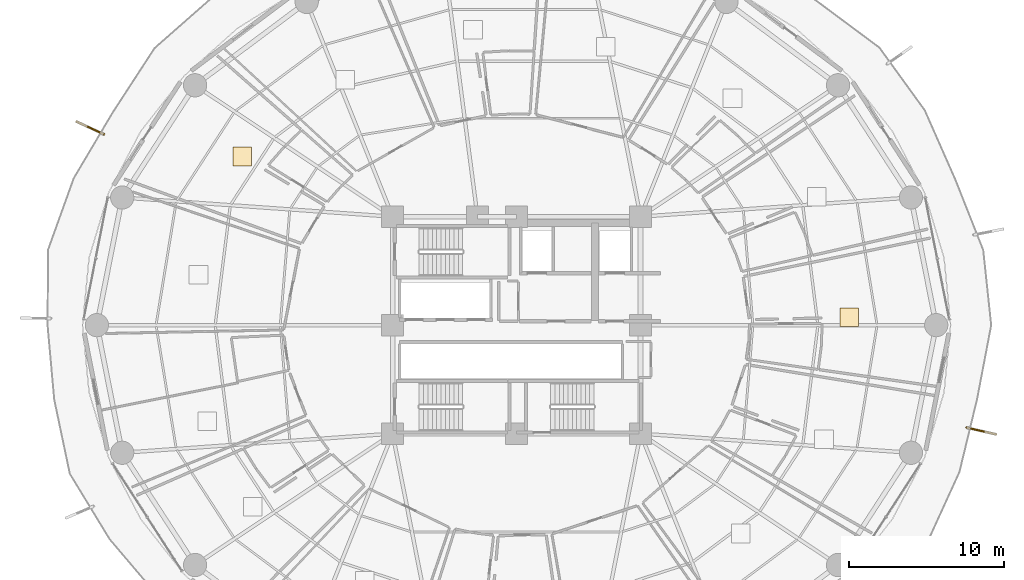
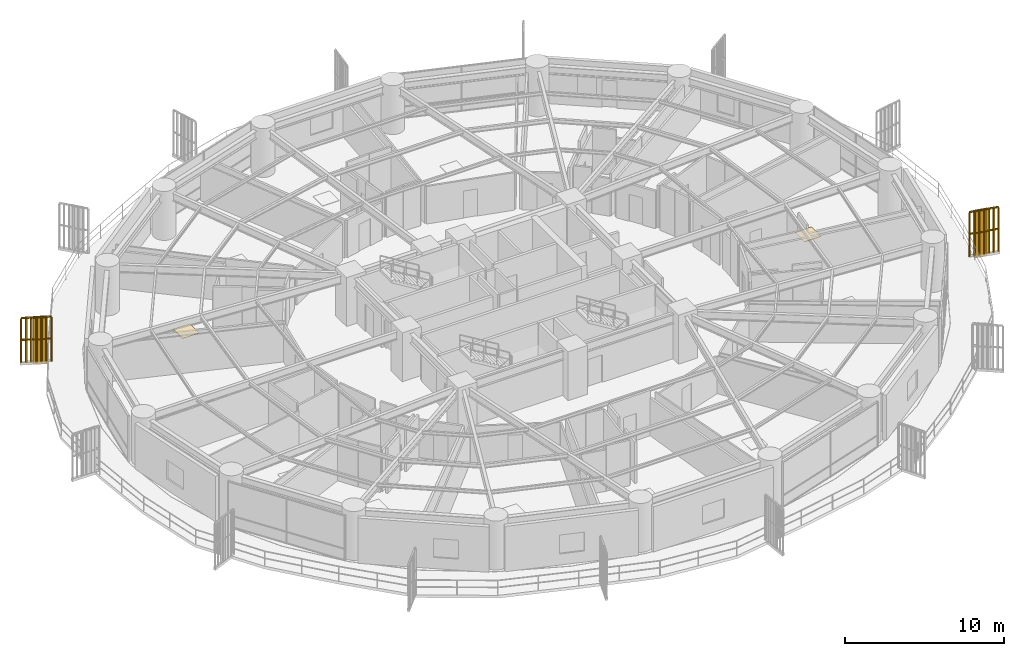
# One storey, part 32 of 34: 2 coverings, 2 railings, 2 shading devices.
"""IFC4 building model written with IfcOpenShell, lengths in metres."""

from ifc_helpers import new_model, si_unit, direction, frame, origin, origin_2d, place, context, subcontext, project, spatial, polyline, rectangle, outline, extrude, source, transform, mapped, material, layer, layer_set, type_object, element, save


model = new_model("IFC4")

# Units and contexts
model_context = context("Model", 3, precision=1e-05, world=origin(), true_north=direction((0.0, 1.0)))
body_context = subcontext(model_context, "Body", "Model", "MODEL_VIEW")
ifc_project = project(units=[si_unit("LENGTHUNIT", "METRE"), si_unit("AREAUNIT", "SQUARE_METRE"), si_unit("VOLUMEUNIT", "CUBIC_METRE"), si_unit("PLANEANGLEUNIT", "RADIAN"), si_unit("MASSUNIT", "GRAM", prefix="KILO")], contexts=[model_context])

# Site, building, storey
site_placement = place(None, origin())
site = spatial("IfcSite", under=ifc_project, at=site_placement, CompositionType="ELEMENT")
building_placement = place(site_placement, origin())
building = spatial("IfcBuilding", under=site, at=building_placement, Name="Kelanora Arch Commons", CompositionType="ELEMENT")
storey_placement = place(building_placement, frame((0.0, 0.0, 33.75)))
storey = spatial("IfcBuildingStorey", under=building, at=storey_placement, Name="L08", CompositionType="ELEMENT", Elevation=33.75)

# Railings
ifc_material_1 = material(Name="Anodised bronze vertical shading fin rib assembly")
railing_type = type_object("IfcRailingType", Name="RAIL-FIN-BRZ", PredefinedType="BALUSTRADE", material=ifc_material_1)
railing_1_placement = place(storey_placement, frame((47.363525390625, 70.322509765625, -0.02001953125)))
element("IfcRailing", 1, at=railing_1_placement, inside=storey, type_object=railing_type, Name="Sweeping Bronze Vertical Fin Blade L08-06", PredefinedType="BALUSTRADE", context=body_context, shape_type="SweptSolid", body=[
    extrude(outline(polyline([(0.06982421875, 0.0), (0.034912109375, 0.060546875), (-0.034912109375, 0.060546875), (-0.06982421875, 0.0), (-0.034912109375, -0.060546875), (0.034912109375, -0.060546875), (0.06982421875, 0.0)])), frame((0.0, 0.0, 3.419921875), z_axis=(-0.90756396683, 0.419913855584, 0.0), x_axis=(-0.419913855584, -0.90756396683, 0.0)), (0.0, 0.0, 1.0), 1.91748046875),
    extrude(outline(polyline([(0.06982421875, 0.0), (0.034912109375, 0.060546875), (-0.034912109375, 0.060546875), (-0.06982421875, 0.0), (-0.034912109375, -0.060546875), (0.034912109375, -0.060546875), (0.06982421875, 0.0)])), frame((0.0, 0.0, 1.7451171875), z_axis=(-0.90756396683, 0.419913855584, 0.0), x_axis=(-0.419913855584, -0.90756396683, 0.0)), (0.0, 0.0, 1.0), 1.91748046875),
    extrude(outline(polyline([(0.080078125, 0.0), (0.0400390625, 0.0693359375), (-0.0400390625, 0.0693359375), (-0.080078125, 0.0), (-0.0400390625, -0.0693359375), (0.0400390625, -0.0693359375), (0.080078125, 0.0)])), origin(), (0.0, 0.0, 1.0), 3.35009765625),
    extrude(outline(polyline([(0.080078125, 0.0), (0.0400390625, 0.0693359375), (-0.0400390625, 0.0693359375), (-0.080078125, 0.0), (-0.0400390625, -0.0693359375), (0.0400390625, -0.0693359375), (0.080078125, 0.0)])), frame((-0.2900390625, 0.13427734375, 0.0)), (0.0, 0.0, 1.0), 3.35009765625),
    extrude(outline(polyline([(0.080078125, 0.0), (0.0400390625, 0.0693359375), (-0.0400390625, 0.0693359375), (-0.080078125, 0.0), (-0.0400390625, -0.0693359375), (0.0400390625, -0.0693359375), (0.080078125, 0.0)])), frame((-0.580078125, 0.268310546875, 0.0)), (0.0, 0.0, 1.0), 3.35009765625),
    extrude(outline(polyline([(0.080078125, 0.0), (0.0400390625, 0.0693359375), (-0.0400390625, 0.0693359375), (-0.080078125, 0.0), (-0.0400390625, -0.0693359375), (0.0400390625, -0.0693359375), (0.080078125, 0.0)])), frame((-0.8701171875, 0.402587890625, 0.0)), (0.0, 0.0, 1.0), 3.35009765625),
    extrude(outline(polyline([(0.080078125, 0.0), (0.0400390625, 0.0693359375), (-0.0400390625, 0.0693359375), (-0.080078125, 0.0), (-0.0400390625, -0.0693359375), (0.0400390625, -0.0693359375), (0.080078125, 0.0)])), frame((-1.16015625, 0.536865234375, 0.0)), (0.0, 0.0, 1.0), 3.35009765625),
    extrude(outline(polyline([(0.080078125, 0.0), (0.0400390625, 0.0693359375), (-0.0400390625, 0.0693359375), (-0.080078125, 0.0), (-0.0400390625, -0.0693359375), (0.0400390625, -0.0693359375), (0.080078125, 0.0)])), frame((-1.4501953125, 0.6708984375, 0.0)), (0.0, 0.0, 1.0), 3.35009765625),
    extrude(outline(polyline([(0.080078125, 0.0), (0.0400390625, 0.0693359375), (-0.0400390625, 0.0693359375), (-0.080078125, 0.0), (-0.0400390625, -0.0693359375), (0.0400390625, -0.0693359375), (0.080078125, 0.0)])), frame((-1.740234375, 0.80517578125, 0.0)), (0.0, 0.0, 1.0), 3.35009765625),
])
railing_2_placement = place(storey_placement, frame((103.043701171875, 51.3876953125, -0.02001953125)))
element("IfcRailing", 2, at=railing_2_placement, inside=storey, type_object=railing_type, Name="Sweeping Bronze Vertical Fin Blade L08-14", PredefinedType="BALUSTRADE", context=body_context, shape_type="SweptSolid", body=[
    extrude(outline(polyline([(0.06982421875, 0.0), (0.034912109375, 0.060546875), (-0.034912109375, 0.060546875), (-0.06982421875, 0.0), (-0.034912109375, -0.060546875), (0.034912109375, -0.060546875), (0.06982421875, 0.0)])), frame((0.0, 0.0, 3.419921875), z_axis=(0.975035205817, -0.222050326318, 0.0), x_axis=(0.222050326318, 0.975035205817, 0.0)), (0.0, 0.0, 1.0), 1.91748046875),
    extrude(outline(polyline([(0.06982421875, 0.0), (0.034912109375, 0.060546875), (-0.034912109375, 0.060546875), (-0.06982421875, 0.0), (-0.034912109375, -0.060546875), (0.034912109375, -0.060546875), (0.06982421875, 0.0)])), frame((0.0, 0.0, 1.7451171875), z_axis=(0.975035205817, -0.222050326318, 0.0), x_axis=(0.222050326318, 0.975035205817, 0.0)), (0.0, 0.0, 1.0), 1.91748046875),
    extrude(outline(polyline([(0.080078125, 0.0), (0.0400390625, 0.0693359375), (-0.0400390625, 0.0693359375), (-0.080078125, 0.0), (-0.0400390625, -0.0693359375), (0.0400390625, -0.0693359375), (0.080078125, 0.0)])), origin(), (0.0, 0.0, 1.0), 3.35009765625),
    extrude(outline(polyline([(0.080078125, 0.0), (0.0400390625, 0.0693359375), (-0.0400390625, 0.0693359375), (-0.080078125, 0.0), (-0.0400390625, -0.0693359375), (0.0400390625, -0.0693359375), (0.080078125, 0.0)])), frame((0.3115234375, -0.071044921875, 0.0)), (0.0, 0.0, 1.0), 3.35009765625),
    extrude(outline(polyline([(0.080078125, 0.0), (0.0400390625, 0.0693359375), (-0.0400390625, 0.0693359375), (-0.080078125, 0.0), (-0.0400390625, -0.0693359375), (0.0400390625, -0.0693359375), (0.080078125, 0.0)])), frame((0.623291015625, -0.141845703125, 0.0)), (0.0, 0.0, 1.0), 3.35009765625),
    extrude(outline(polyline([(0.080078125, 0.0), (0.0400390625, 0.0693359375), (-0.0400390625, 0.0693359375), (-0.080078125, 0.0), (-0.0400390625, -0.0693359375), (0.0400390625, -0.0693359375), (0.080078125, 0.0)])), frame((0.934814453125, -0.212890625, 0.0)), (0.0, 0.0, 1.0), 3.35009765625),
    extrude(outline(polyline([(0.080078125, 0.0), (0.0400390625, 0.0693359375), (-0.0400390625, 0.0693359375), (-0.080078125, 0.0), (-0.0400390625, -0.0693359375), (0.0400390625, -0.0693359375), (0.080078125, 0.0)])), frame((1.246337890625, -0.283935546875, 0.0)), (0.0, 0.0, 1.0), 3.35009765625),
    extrude(outline(polyline([(0.080078125, 0.0), (0.0400390625, 0.0693359375), (-0.0400390625, 0.0693359375), (-0.080078125, 0.0), (-0.0400390625, -0.0693359375), (0.0400390625, -0.0693359375), (0.080078125, 0.0)])), frame((1.55810546875, -0.354736328125, 0.0)), (0.0, 0.0, 1.0), 3.35009765625),
    extrude(outline(polyline([(0.080078125, 0.0), (0.0400390625, 0.0693359375), (-0.0400390625, 0.0693359375), (-0.080078125, 0.0), (-0.0400390625, -0.0693359375), (0.0400390625, -0.0693359375), (0.080078125, 0.0)])), frame((1.86962890625, -0.42578125, 0.0)), (0.0, 0.0, 1.0), 3.35009765625),
])

# Shading devices
ifc_material_2 = material(Name="Terracotta ceramic-clad extruded aluminium fin", Category="masonry")
shading_device_type = type_object("IfcShadingDeviceType", Name="SHD-FIN-FLARE", PredefinedType="USERDEFINED", material=ifc_material_2)
shared_shape_1 = source(origin(), body_context, "Body", "SweptSolid", [
    extrude(rectangle(XDim=0.8798828125, YDim=0.090087890625, at=origin_2d()), origin(), (0.0, 0.0, 1.0), 3.610107421875),
])
for number, where, z_axis, x_axis, name in (
    (3, (46.7099609375, 70.624755859375, -0.14013671875), (0.0, 0.0, 1.0), (-0.90755772951, 0.419927336103, 0.0), "Sweeping Terracotta Fin L08-06"),
    (4, (103.745849609375, 51.227783203125, -0.14013671875), (0.0, 0.0, 1.0), (0.975033218117, -0.222059054235, 0.0), "Sweeping Terracotta Fin L08-14"),
):
    element("IfcShadingDevice", number, at=place(storey_placement, frame(where, z_axis=z_axis, x_axis=x_axis)), inside=storey, type_object=shading_device_type, Name=name, ObjectType="FIN", PredefinedType="USERDEFINED", context=body_context, shape_type="MappedRepresentation", body=[
        mapped(shared_shape_1, transform((0.0, 0.0, 0.0), scale=1.0)),
    ])

# Coverings
ifc_material_3 = material(Name="Polished local granite terrazzo flooring", Category="masonry")
ifc_layer = layer(ifc_material_3, 0.030029296875)
ifc_layer_set = layer_set([ifc_layer], Name="Polished local granite terrazzo flooring")
covering_type = type_object("IfcCoveringType", Name="COV-FLR-TER", PredefinedType="FLOORING", material=ifc_layer_set)
shared_shape_2 = source(origin(), body_context, "Body", "SweptSolid", [
    extrude(rectangle(XDim=1.199951171875, YDim=1.199951171875, at=origin_2d()), origin(), (0.0, 0.0, 1.0), 0.030029296875),
])
for number, where, z_axis, x_axis, name in (
    (5, (56.30029296875, 68.884765625, 0.0), (0.0, 0.0, 1.0), (1.0, 0.0, 0.0), "Co-Living Studio L08-06 Terrazzo Finish"),
    (6, (95.461669921875, 58.516357421875, 0.0), (0.0, 0.0, 1.0), (1.0, 0.0, 0.0), "Co-Living Studio L08-15 Terrazzo Finish"),
):
    element("IfcCovering", number, at=place(storey_placement, frame(where, z_axis=z_axis, x_axis=x_axis)), inside=storey, type_object=covering_type, Name=name, PredefinedType="FLOORING", context=body_context, shape_type="MappedRepresentation", body=[
        mapped(shared_shape_2, transform((0.0, 0.0, 0.0), scale=1.0)),
    ])

save(model, "model.ifc")
